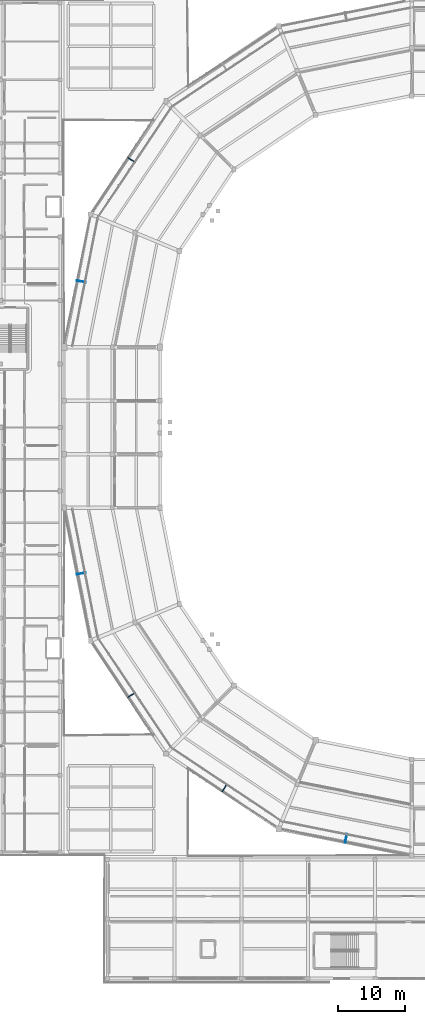
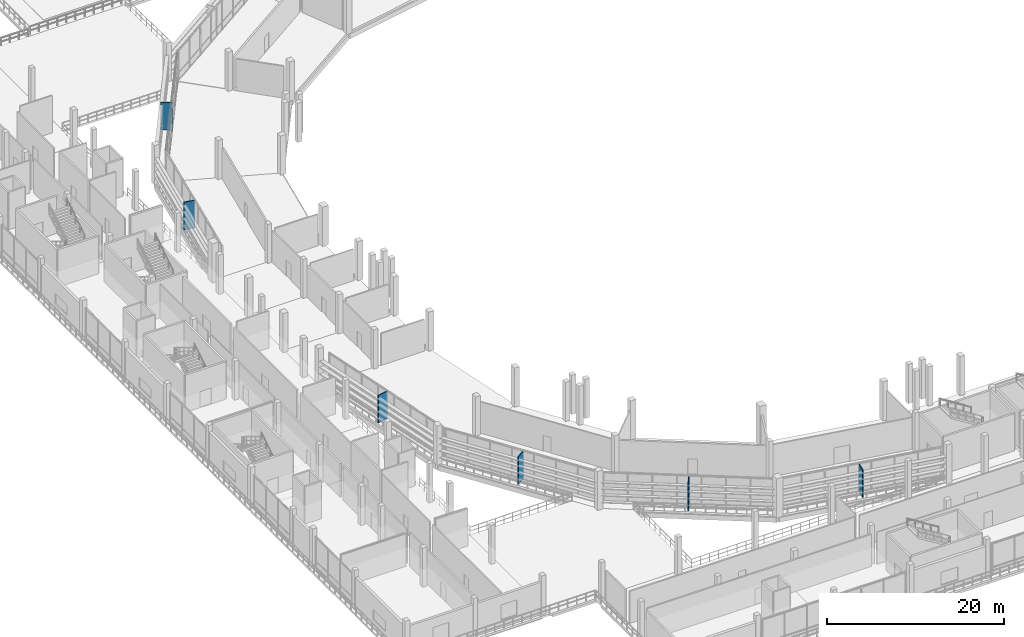
# One storey, part 84 of 111: 6 discrete accessories.
"""IFC4 building model written with IfcOpenShell, lengths in metres."""

import ifcopenshell
import ifcopenshell.guid

model = None  # the IFC model being written
_history = None  # IfcOwnerHistory: only IFC2X3 demands one
_inside = {}  # id of a spatial element -> (the spatial element, [elements in it])
_under = {}  # id of a project, library or spatial element -> (it, [spatial elements below it])
_declared = {}  # id of a project -> (the project, [libraries it declares])
_typed = {}  # id of a type object -> (the type object, [elements of that type])
_made_of = {}  # id of a material, layer set ... -> (it, [elements and type objects made of it])


def new_model(schema):
    """Start an empty IFC model of exactly this schema.

    Asked for "IFC4X3", IfcOpenShell would pick the latest addendum, in which some entities
    have other attributes; the version numbers below select the first issue.
    IFC2X3 requires an IfcOwnerHistory on every rooted entity: one is made here for all.
    """
    global model, _history
    if schema == "IFC4X3":
        model = ifcopenshell.file(schema_version=(4, 3, 0, 0))
    else:
        model = ifcopenshell.file(schema=schema)
    _inside.clear()
    _under.clear()
    _declared.clear()
    _typed.clear()
    _made_of.clear()
    _history = None
    if model.schema == "IFC2X3":
        org = make("IfcOrganization", Name="unknown")
        user = make(
            "IfcPersonAndOrganization",
            ThePerson=make("IfcPerson", FamilyName="unknown"),
            TheOrganization=org,
        )
        app = make(
            "IfcApplication",
            ApplicationDeveloper=org,
            Version="unknown",
            ApplicationFullName="unknown",
            ApplicationIdentifier="unknown",
        )
        _history = make(
            "IfcOwnerHistory",
            OwningUser=user,
            OwningApplication=app,
            ChangeAction="ADDED",
            CreationDate=0,
        )
    return model


def make(cls, **values):
    """One entity of the class cls with the attributes given. An attribute that is None is left unset."""
    return model.create_entity(
        cls, **{name: value for name, value in values.items() if value is not None}
    )


def rooted(cls, **values):
    """An entity with a GlobalId (a new one), such as an element, a storey or a relation."""
    return make(cls, GlobalId=ifcopenshell.guid.new(), OwnerHistory=_history, **values)


def si_unit(unit_type, name, prefix=None):
    """IfcSIUnit, for example si_unit("LENGTHUNIT", "METRE", prefix="MILLI")."""
    return make("IfcSIUnit", UnitType=unit_type, Prefix=prefix, Name=name)


def assignment(units):
    """IfcUnitAssignment: the units of a project."""
    return None if units is None else make("IfcUnitAssignment", Units=units)


def point(xyz):
    """IfcCartesianPoint."""
    return None if xyz is None else make("IfcCartesianPoint", Coordinates=xyz)


def direction(xyz):
    """IfcDirection."""
    return None if xyz is None else make("IfcDirection", DirectionRatios=xyz)


def frame(location, z_axis=None, x_axis=None):
    """IfcAxis2Placement3D, a coordinate frame: its origin and axes. An axis left out is left unset."""
    return make(
        "IfcAxis2Placement3D",
        Location=point(location),
        Axis=direction(z_axis),
        RefDirection=direction(x_axis),
    )


def frame_2d(location, x_axis=None):
    """IfcAxis2Placement2D, a coordinate frame in the plane: its origin and x axis."""
    return make(
        "IfcAxis2Placement2D", Location=point(location), RefDirection=direction(x_axis)
    )


def origin():
    """The frame at (0, 0, 0) with its axes left unset."""
    return frame((0.0, 0.0, 0.0))


def origin_2d():
    """The frame at (0, 0) in the plane with its x axis left unset."""
    return frame_2d((0.0, 0.0))


def place(relative_to, where):
    """IfcLocalPlacement: puts the frame where relative to a parent placement (None: the world)."""
    return make(
        "IfcLocalPlacement", PlacementRelTo=relative_to, RelativePlacement=where
    )


def context(
    kind, dimensions, precision=None, world=None, true_north=None, identifier=None
):
    """IfcGeometricRepresentationContext, for example the 3D "Model" context."""
    return make(
        "IfcGeometricRepresentationContext",
        ContextIdentifier=identifier,
        ContextType=kind,
        CoordinateSpaceDimension=dimensions,
        Precision=precision,
        WorldCoordinateSystem=world,
        TrueNorth=true_north,
    )


def subcontext(parent, identifier, kind, view, scale=None):
    """IfcGeometricRepresentationSubContext, for example "Body" below "Model"."""
    return make(
        "IfcGeometricRepresentationSubContext",
        ContextIdentifier=identifier,
        ContextType=kind,
        ParentContext=parent,
        TargetScale=scale,
        TargetView=view,
    )


def project(units=None, contexts=None):
    """IfcProject with its units and contexts."""
    return rooted(
        "IfcProject",
        Name="project",
        RepresentationContexts=contexts,
        UnitsInContext=assignment(units),
    )


def spatial(cls, under=None, at=None, **own):
    """A site, building, storey or space (cls), placed at a placement, below another one or the project."""
    s = rooted(cls, ObjectPlacement=at, **own)
    if under is not None:
        _under.setdefault(under.id(), (under, []))[1].append(s)
    return s


def profile(cls, at=None, kind="AREA", **sizes):
    """A parametric profile (cls). Its sizes go by their IFC names, for example OverallWidth=200.0."""
    return make(cls, ProfileType=kind, Position=at, **sizes)


def rectangle(**sizes):
    """IfcRectangleProfileDef."""
    return profile("IfcRectangleProfileDef", **sizes)


def extrude(swept, where, along, depth):
    """IfcExtrudedAreaSolid: the profile swept, set in the frame where, extruded along a direction by depth."""
    return make(
        "IfcExtrudedAreaSolid",
        SweptArea=swept,
        Position=where,
        ExtrudedDirection=direction(along),
        Depth=depth,
    )


def shape(context_of_items, identifier, shape_type, items):
    """IfcShapeRepresentation: the items that make up one representation, for example the "Body"."""
    return make(
        "IfcShapeRepresentation",
        ContextOfItems=context_of_items,
        RepresentationIdentifier=identifier,
        RepresentationType=shape_type,
        Items=items,
    )


def material(Name=None, Category=None):
    """IfcMaterial."""
    return make("IfcMaterial", Name=Name, Category=Category)


def made_of(thing, what):
    """Note that an element or type object is made of a material, layer set ...; save() writes the relation."""
    if what is not None:
        _made_of.setdefault(what.id(), (what, []))[1].append(thing)
    return thing


def type_object(cls, material=None, **own):
    """A type object (cls), such as IfcWallType, which elements share."""
    return made_of(rooted(cls, **own), material)


def element(
    cls,
    number,
    at=None,
    inside=None,
    cuts=None,
    type_object=None,
    material=None,
    context=None,
    identifier="Body",
    shape_type=None,
    held_by="IfcProductDefinitionShape",
    body=None,
    shapes=None,
    **own,
):
    """One element of the class cls, such as IfcWall. Its Tag is "e" and its number.

    at: its placement. inside: the storey or other place that contains it. cuts: it is an
    opening in that element (IfcRelVoidsElement). A single representation is given by context,
    identifier, shape_type and body (its items); several are given by shapes. held_by: the class
    of the entity that holds the representations. save() writes the other relations.
    """
    e = rooted(cls, Tag="e%d" % number, ObjectPlacement=at, **own)
    if body is not None:
        shapes = [shape(context, identifier, shape_type, body)]
    if shapes is not None:
        e.Representation = make(held_by, Representations=shapes)
    if inside is not None:
        _inside.setdefault(inside.id(), (inside, []))[1].append(e)
    if cuts is not None:
        rooted(
            "IfcRelVoidsElement", RelatingBuildingElement=cuts, RelatedOpeningElement=e
        )
    if type_object is not None:
        _typed.setdefault(type_object.id(), (type_object, []))[1].append(e)
    return made_of(e, material)


def aggregate(whole, parts):
    """IfcRelAggregates: a whole, such as a stair, and the parts it consists of."""
    return rooted("IfcRelAggregates", RelatingObject=whole, RelatedObjects=parts)


def save(model, path):
    """Write the relations noted so far, then the file.

    IfcRelAggregates (storeys below a building ...), IfcRelContainedInSpatialStructure (elements
    in a storey), IfcRelDefinesByType, IfcRelAssociatesMaterial and IfcRelDeclares: one each for
    every whole, place, type object, material and project.
    """
    for whole, parts in _under.values():
        aggregate(whole, parts)
    for where, things in _inside.values():
        rooted(
            "IfcRelContainedInSpatialStructure",
            RelatedElements=things,
            RelatingStructure=where,
        )
    for kind, things in _typed.values():
        rooted("IfcRelDefinesByType", RelatedObjects=things, RelatingType=kind)
    for what, things in _made_of.values():
        rooted("IfcRelAssociatesMaterial", RelatedObjects=things, RelatingMaterial=what)
    for by, libraries in _declared.values():
        rooted("IfcRelDeclares", RelatingContext=by, RelatedDefinitions=libraries)
    model.write(path)


model = new_model("IFC4")

# Units and contexts
model_context = context("Model", 3, precision=1e-05, world=origin(), true_north=direction((0.0, 1.0)))
body_context = subcontext(model_context, "Body", "Model", "MODEL_VIEW")
ifc_project = project(units=[si_unit("LENGTHUNIT", "METRE"), si_unit("AREAUNIT", "SQUARE_METRE"), si_unit("VOLUMEUNIT", "CUBIC_METRE"), si_unit("PLANEANGLEUNIT", "RADIAN"), si_unit("MASSUNIT", "GRAM", prefix="KILO")], contexts=[model_context])

# Site, building, storey
site_placement = place(None, origin())
site = spatial("IfcSite", under=ifc_project, at=site_placement, CompositionType="ELEMENT")
building_placement = place(site_placement, origin())
building = spatial("IfcBuilding", under=site, at=building_placement, Name="Candeia Ridge Stadium", CompositionType="ELEMENT")
storey_placement = place(building_placement, frame((0.0, 0.0, 16.199951171875)))
storey = spatial("IfcBuildingStorey", under=building, at=storey_placement, Name="L03", CompositionType="ELEMENT", Elevation=16.199951171875)

# Discrete accessories
ifc_material = material(Name="Steel ASTM A572 Grade 50", Category="steel")
discrete_accessory_type = type_object("IfcDiscreteAccessoryType", Name="Solar Rib Outrigger Bracket BRK1", PredefinedType="BRACKET", material=ifc_material)
discrete_accessory_1_placement = place(storey_placement, frame((29.083740234375, 123.007568359375, 0.2001953125), z_axis=(0.0, 0.0, 1.0), x_axis=(-0.831469653018, 0.555570172084, 0.0)))
element("IfcDiscreteAccessory", 1, at=discrete_accessory_1_placement, inside=storey, type_object=discrete_accessory_type, Name="Solar rib steel outrigger bracket L03 bay 10", PredefinedType="BRACKET", context=body_context, shape_type="SweptSolid", body=[
    extrude(rectangle(XDim=1.35009765625, YDim=0.1201171875, at=origin_2d()), origin(), (0.0, 0.0, 1.0), 3.804931640625),
])
discrete_accessory_2_placement = place(storey_placement, frame((21.556396484375, 104.8349609375, 0.2001953125), z_axis=(0.0, 0.0, 1.0), x_axis=(-0.980785299134, 0.19509022785, 0.0)))
element("IfcDiscreteAccessory", 2, at=discrete_accessory_2_placement, inside=storey, type_object=discrete_accessory_type, Name="Solar rib steel outrigger bracket L03 bay 11", PredefinedType="BRACKET", context=body_context, shape_type="SweptSolid", body=[
    extrude(rectangle(XDim=1.35009765625, YDim=0.1201171875, at=origin_2d()), origin(), (0.0, 0.0, 1.0), 3.844970703125),
])
for number, where, z_axis, x_axis, name in (
    (3, (21.556396484375, 61.1650390625, 0.2001953125), (0.0, 0.0, 1.0), (-0.980785299134, -0.19509022785, 0.0), "Solar rib steel outrigger bracket L03 bay 15"),
    (4, (29.083740234375, 42.992431640625, 0.2001953125), (0.0, 0.0, 1.0), (-0.831469653018, -0.555570172084, 0.0), "Solar rib steel outrigger bracket L03 bay 16"),
):
    element("IfcDiscreteAccessory", number, at=place(storey_placement, frame(where, z_axis=z_axis, x_axis=x_axis)), inside=storey, type_object=discrete_accessory_type, Name=name, PredefinedType="BRACKET", context=body_context, shape_type="SweptSolid", body=[
        extrude(rectangle(XDim=1.35009765625, YDim=0.1201171875, at=origin_2d()), origin(), (0.0, 0.0, 1.0), 3.804931640625),
    ])
discrete_accessory_3_placement = place(storey_placement, frame((42.992431640625, 29.083740234375, 0.2001953125), z_axis=(0.0, 0.0, 1.0), x_axis=(-0.555570172084, -0.831469653018, 0.0)))
element("IfcDiscreteAccessory", 5, at=discrete_accessory_3_placement, inside=storey, type_object=discrete_accessory_type, Name="Solar rib steel outrigger bracket L03 bay 17", PredefinedType="BRACKET", context=body_context, shape_type="SweptSolid", body=[
    extrude(rectangle(XDim=1.35009765625, YDim=0.1201171875, at=origin_2d()), origin(), (0.0, 0.0, 1.0), 3.844970703125),
])
discrete_accessory_4_placement = place(storey_placement, frame((61.1650390625, 21.556396484375, 0.2001953125), z_axis=(0.0, 0.0, 1.0), x_axis=(-0.19509022785, -0.980785299134, 0.0)))
element("IfcDiscreteAccessory", 6, at=discrete_accessory_4_placement, inside=storey, type_object=discrete_accessory_type, Name="Solar rib steel outrigger bracket L03 bay 18", PredefinedType="BRACKET", context=body_context, shape_type="SweptSolid", body=[
    extrude(rectangle(XDim=1.35009765625, YDim=0.1201171875, at=origin_2d()), origin(), (0.0, 0.0, 1.0), 3.804931640625),
])

save(model, "model.ifc")
